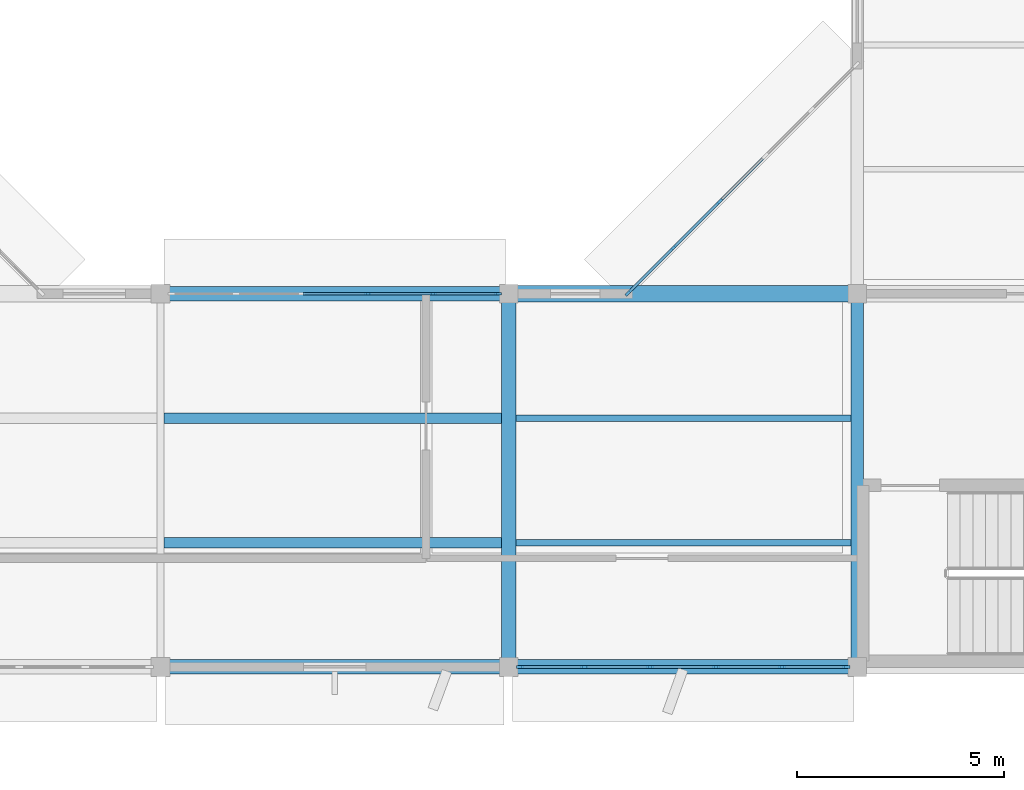
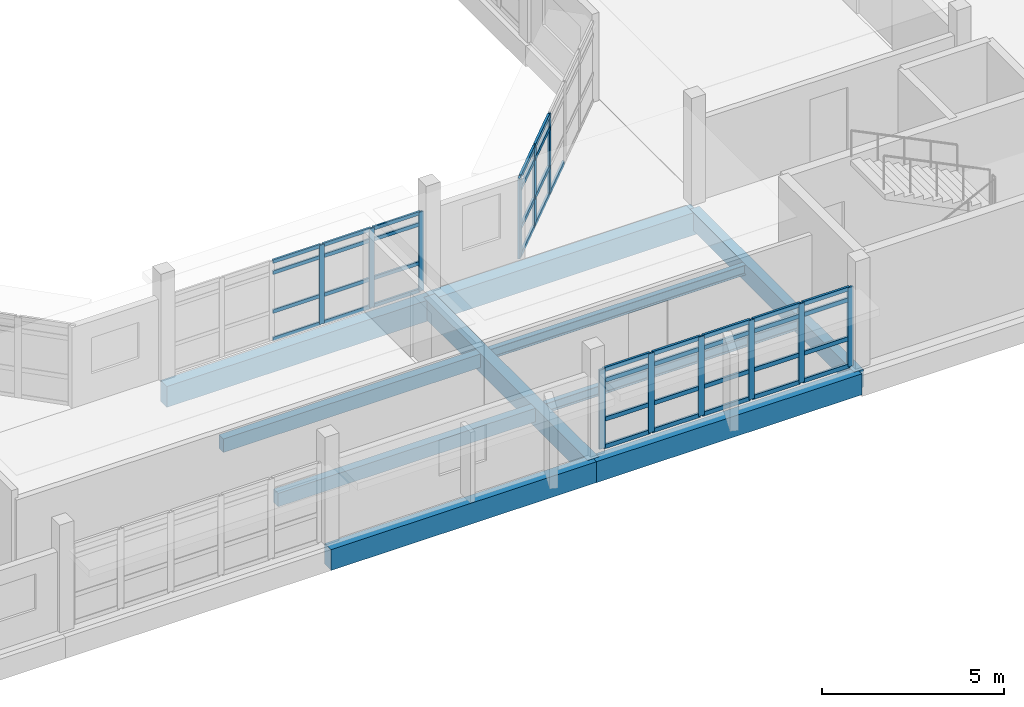
# One storey, part 4 of 42: 53 members, 10 beams, 3 elements without a shape of their own.
"""IFC4 building model written with IfcOpenShell, lengths in metres."""

import ifcopenshell
import ifcopenshell.guid

model = None  # the IFC model being written
_history = None  # IfcOwnerHistory: only IFC2X3 demands one
_inside = {}  # id of a spatial element -> (the spatial element, [elements in it])
_under = {}  # id of a project, library or spatial element -> (it, [spatial elements below it])
_declared = {}  # id of a project -> (the project, [libraries it declares])
_typed = {}  # id of a type object -> (the type object, [elements of that type])
_made_of = {}  # id of a material, layer set ... -> (it, [elements and type objects made of it])


def new_model(schema):
    """Start an empty IFC model of exactly this schema.

    Asked for "IFC4X3", IfcOpenShell would pick the latest addendum, in which some entities
    have other attributes; the version numbers below select the first issue.
    IFC2X3 requires an IfcOwnerHistory on every rooted entity: one is made here for all.
    """
    global model, _history
    if schema == "IFC4X3":
        model = ifcopenshell.file(schema_version=(4, 3, 0, 0))
    else:
        model = ifcopenshell.file(schema=schema)
    _inside.clear()
    _under.clear()
    _declared.clear()
    _typed.clear()
    _made_of.clear()
    _history = None
    if model.schema == "IFC2X3":
        org = make("IfcOrganization", Name="unknown")
        user = make(
            "IfcPersonAndOrganization",
            ThePerson=make("IfcPerson", FamilyName="unknown"),
            TheOrganization=org,
        )
        app = make(
            "IfcApplication",
            ApplicationDeveloper=org,
            Version="unknown",
            ApplicationFullName="unknown",
            ApplicationIdentifier="unknown",
        )
        _history = make(
            "IfcOwnerHistory",
            OwningUser=user,
            OwningApplication=app,
            ChangeAction="ADDED",
            CreationDate=0,
        )
    return model


def make(cls, **values):
    """One entity of the class cls with the attributes given. An attribute that is None is left unset."""
    return model.create_entity(
        cls, **{name: value for name, value in values.items() if value is not None}
    )


def rooted(cls, **values):
    """An entity with a GlobalId (a new one), such as an element, a storey or a relation."""
    return make(cls, GlobalId=ifcopenshell.guid.new(), OwnerHistory=_history, **values)


def si_unit(unit_type, name, prefix=None):
    """IfcSIUnit, for example si_unit("LENGTHUNIT", "METRE", prefix="MILLI")."""
    return make("IfcSIUnit", UnitType=unit_type, Prefix=prefix, Name=name)


def assignment(units):
    """IfcUnitAssignment: the units of a project."""
    return None if units is None else make("IfcUnitAssignment", Units=units)


def point(xyz):
    """IfcCartesianPoint."""
    return None if xyz is None else make("IfcCartesianPoint", Coordinates=xyz)


def direction(xyz):
    """IfcDirection."""
    return None if xyz is None else make("IfcDirection", DirectionRatios=xyz)


def frame(location, z_axis=None, x_axis=None):
    """IfcAxis2Placement3D, a coordinate frame: its origin and axes. An axis left out is left unset."""
    return make(
        "IfcAxis2Placement3D",
        Location=point(location),
        Axis=direction(z_axis),
        RefDirection=direction(x_axis),
    )


def frame_2d(location, x_axis=None):
    """IfcAxis2Placement2D, a coordinate frame in the plane: its origin and x axis."""
    return make(
        "IfcAxis2Placement2D", Location=point(location), RefDirection=direction(x_axis)
    )


def origin():
    """The frame at (0, 0, 0) with its axes left unset."""
    return frame((0.0, 0.0, 0.0))


def origin_2d():
    """The frame at (0, 0) in the plane with its x axis left unset."""
    return frame_2d((0.0, 0.0))


def place(relative_to, where):
    """IfcLocalPlacement: puts the frame where relative to a parent placement (None: the world)."""
    return make(
        "IfcLocalPlacement", PlacementRelTo=relative_to, RelativePlacement=where
    )


def context(
    kind, dimensions, precision=None, world=None, true_north=None, identifier=None
):
    """IfcGeometricRepresentationContext, for example the 3D "Model" context."""
    return make(
        "IfcGeometricRepresentationContext",
        ContextIdentifier=identifier,
        ContextType=kind,
        CoordinateSpaceDimension=dimensions,
        Precision=precision,
        WorldCoordinateSystem=world,
        TrueNorth=true_north,
    )


def subcontext(parent, identifier, kind, view, scale=None):
    """IfcGeometricRepresentationSubContext, for example "Body" below "Model"."""
    return make(
        "IfcGeometricRepresentationSubContext",
        ContextIdentifier=identifier,
        ContextType=kind,
        ParentContext=parent,
        TargetScale=scale,
        TargetView=view,
    )


def project(units=None, contexts=None):
    """IfcProject with its units and contexts."""
    return rooted(
        "IfcProject",
        Name="project",
        RepresentationContexts=contexts,
        UnitsInContext=assignment(units),
    )


def spatial(cls, under=None, at=None, **own):
    """A site, building, storey or space (cls), placed at a placement, below another one or the project."""
    s = rooted(cls, ObjectPlacement=at, **own)
    if under is not None:
        _under.setdefault(under.id(), (under, []))[1].append(s)
    return s


def profile(cls, at=None, kind="AREA", **sizes):
    """A parametric profile (cls). Its sizes go by their IFC names, for example OverallWidth=200.0."""
    return make(cls, ProfileType=kind, Position=at, **sizes)


def rectangle(**sizes):
    """IfcRectangleProfileDef."""
    return profile("IfcRectangleProfileDef", **sizes)


def i_section(**sizes):
    """IfcIShapeProfileDef."""
    return profile("IfcIShapeProfileDef", **sizes)


def extrude(swept, where, along, depth):
    """IfcExtrudedAreaSolid: the profile swept, set in the frame where, extruded along a direction by depth."""
    return make(
        "IfcExtrudedAreaSolid",
        SweptArea=swept,
        Position=where,
        ExtrudedDirection=direction(along),
        Depth=depth,
    )


def shape(context_of_items, identifier, shape_type, items):
    """IfcShapeRepresentation: the items that make up one representation, for example the "Body"."""
    return make(
        "IfcShapeRepresentation",
        ContextOfItems=context_of_items,
        RepresentationIdentifier=identifier,
        RepresentationType=shape_type,
        Items=items,
    )


def material(Name=None, Category=None):
    """IfcMaterial."""
    return make("IfcMaterial", Name=Name, Category=Category)


def material_profile(
    of_material, cross_section, Name=None, Category=None, Priority=None
):
    """IfcMaterialProfile: a cross section and its material."""
    return make(
        "IfcMaterialProfile",
        Name=Name,
        Material=of_material,
        Profile=cross_section,
        Priority=Priority,
        Category=Category,
    )


def profile_set(profiles, Name=None, composite=None):
    """IfcMaterialProfileSet."""
    return make(
        "IfcMaterialProfileSet",
        Name=Name,
        MaterialProfiles=profiles,
        CompositeProfile=composite,
    )


def made_of(thing, what):
    """Note that an element or type object is made of a material, layer set ...; save() writes the relation."""
    if what is not None:
        _made_of.setdefault(what.id(), (what, []))[1].append(thing)
    return thing


def type_object(cls, material=None, **own):
    """A type object (cls), such as IfcWallType, which elements share."""
    return made_of(rooted(cls, **own), material)


def element(
    cls,
    number,
    at=None,
    inside=None,
    cuts=None,
    type_object=None,
    material=None,
    context=None,
    identifier="Body",
    shape_type=None,
    held_by="IfcProductDefinitionShape",
    body=None,
    shapes=None,
    **own,
):
    """One element of the class cls, such as IfcWall. Its Tag is "e" and its number.

    at: its placement. inside: the storey or other place that contains it. cuts: it is an
    opening in that element (IfcRelVoidsElement). A single representation is given by context,
    identifier, shape_type and body (its items); several are given by shapes. held_by: the class
    of the entity that holds the representations. save() writes the other relations.
    """
    e = rooted(cls, Tag="e%d" % number, ObjectPlacement=at, **own)
    if body is not None:
        shapes = [shape(context, identifier, shape_type, body)]
    if shapes is not None:
        e.Representation = make(held_by, Representations=shapes)
    if inside is not None:
        _inside.setdefault(inside.id(), (inside, []))[1].append(e)
    if cuts is not None:
        rooted(
            "IfcRelVoidsElement", RelatingBuildingElement=cuts, RelatedOpeningElement=e
        )
    if type_object is not None:
        _typed.setdefault(type_object.id(), (type_object, []))[1].append(e)
    return made_of(e, material)


def aggregate(whole, parts):
    """IfcRelAggregates: a whole, such as a stair, and the parts it consists of."""
    return rooted("IfcRelAggregates", RelatingObject=whole, RelatedObjects=parts)


def save(model, path):
    """Write the relations noted so far, then the file.

    IfcRelAggregates (storeys below a building ...), IfcRelContainedInSpatialStructure (elements
    in a storey), IfcRelDefinesByType, IfcRelAssociatesMaterial and IfcRelDeclares: one each for
    every whole, place, type object, material and project.
    """
    for whole, parts in _under.values():
        aggregate(whole, parts)
    for where, things in _inside.values():
        rooted(
            "IfcRelContainedInSpatialStructure",
            RelatedElements=things,
            RelatingStructure=where,
        )
    for kind, things in _typed.values():
        rooted("IfcRelDefinesByType", RelatedObjects=things, RelatingType=kind)
    for what, things in _made_of.values():
        rooted("IfcRelAssociatesMaterial", RelatedObjects=things, RelatingMaterial=what)
    for by, libraries in _declared.values():
        rooted("IfcRelDeclares", RelatingContext=by, RelatedDefinitions=libraries)
    model.write(path)


model = new_model("IFC4")

# Units and contexts
model_context = context("Model", 3, precision=1e-05, world=origin(), true_north=direction((0.0, 1.0)))
body_context = subcontext(model_context, "Body", "Model", "MODEL_VIEW")
ifc_project = project(units=[si_unit("LENGTHUNIT", "METRE"), si_unit("AREAUNIT", "SQUARE_METRE"), si_unit("VOLUMEUNIT", "CUBIC_METRE"), si_unit("PLANEANGLEUNIT", "RADIAN"), si_unit("MASSUNIT", "GRAM", prefix="KILO")], contexts=[model_context])

# Site, building, storey
site_placement = place(None, origin())
site = spatial("IfcSite", under=ifc_project, at=site_placement, CompositionType="ELEMENT")
building_placement = place(site_placement, origin())
building = spatial("IfcBuilding", under=site, at=building_placement, Name="Vanh Quang Courtyard School", CompositionType="ELEMENT")
storey_placement = place(building_placement, frame((0.0, 0.0, 15.0)))
storey = spatial("IfcBuildingStorey", under=building, at=storey_placement, Name="L04", CompositionType="ELEMENT", Elevation=15.0)

# Beams
ifc_material_1 = material(Name="Concrete C35/45", Category="concrete")
ifc_material_profile_1 = material_profile(ifc_material_1, rectangle(XDim=0.300048828125, YDim=0.60009765625, at=origin_2d()), Name="RC-BM 300x600")
ifc_profile_set_1 = profile_set([ifc_material_profile_1], Name="Concrete C35/45")
beam_type_1 = type_object("IfcBeamType", Name="BM-RC-300x600", PredefinedType="BEAM", material=ifc_profile_set_1)
beam_1_placement = place(storey_placement, frame((66.0, 32.39990234375, -0.56005859375), z_axis=(0.0, 1.0, 0.0), x_axis=(-1.0, 0.0, 0.0)))
element("IfcBeam", 1, at=beam_1_placement, inside=storey, type_object=beam_type_1, Name="Beam B-06 (L04)", PredefinedType="BEAM", context=body_context, shape_type="SweptSolid", body=[
    extrude(rectangle(XDim=0.300048828125, YDim=0.60009765625, at=origin_2d()), origin(), (0.0, 0.0, 1.0), 9.0),
])
ifc_material_profile_2 = material_profile(ifc_material_1, rectangle(XDim=0.35009765625, YDim=0.64990234375, at=origin_2d()), Name="RC-BM 350x650")
ifc_profile_set_2 = profile_set([ifc_material_profile_2], Name="Concrete C35/45")
beam_type_2 = type_object("IfcBeamType", Name="BM-RC-350x650", PredefinedType="BEAM", material=ifc_profile_set_2)
beam_2_placement = place(storey_placement, frame((57.60009765625, 32.39990234375, -0.5849609375), z_axis=(0.0, 1.0, 0.0), x_axis=(-1.0, 0.0, 0.0)))
element("IfcBeam", 2, at=beam_2_placement, inside=storey, type_object=beam_type_2, Name="Beam B-05 (L04)", PredefinedType="BEAM", context=body_context, shape_type="SweptSolid", body=[
    extrude(rectangle(XDim=0.35009765625, YDim=0.64990234375, at=origin_2d()), origin(), (0.0, 0.0, 1.0), 9.0),
])
ifc_material_profile_3 = material_profile(ifc_material_1, rectangle(XDim=0.35009765625, YDim=0.699951171875, at=origin_2d()), Name="RC-BM 350x700")
ifc_profile_set_3 = profile_set([ifc_material_profile_3], Name="Concrete C35/45")
beam_type_3 = type_object("IfcBeamType", Name="BM-RC-350x700", PredefinedType="BEAM", material=ifc_profile_set_3)
beam_3_placement = place(storey_placement, frame((49.199951171875, 32.39990234375, -0.610107421875), z_axis=(1.0, 0.0, 0.0), x_axis=(0.0, 1.0, 0.0)))
element("IfcBeam", 3, at=beam_3_placement, inside=storey, type_object=beam_type_3, Name="Beam B-04 (L04)", PredefinedType="BEAM", context=body_context, shape_type="SweptSolid", body=[
    extrude(rectangle(XDim=0.35009765625, YDim=0.699951171875, at=origin_2d()), origin(), (0.0, 0.0, 1.0), 8.400146484375),
])
beam_4_placement = place(storey_placement, frame((57.60009765625, 32.39990234375, -0.610107421875), z_axis=(1.0, 0.0, 0.0), x_axis=(0.0, 1.0, 0.0)))
element("IfcBeam", 4, at=beam_4_placement, inside=storey, type_object=beam_type_3, Name="Beam B-04 (L04)", PredefinedType="BEAM", context=body_context, shape_type="SweptSolid", body=[
    extrude(rectangle(XDim=0.35009765625, YDim=0.699951171875, at=origin_2d()), origin(), (0.0, 0.0, 1.0), 8.39990234375),
])
beam_5_placement = place(storey_placement, frame((49.199951171875, 41.39990234375, -0.610107421875), z_axis=(1.0, 0.0, 0.0), x_axis=(0.0, 1.0, 0.0)))
element("IfcBeam", 5, at=beam_5_placement, inside=storey, type_object=beam_type_3, Name="Beam B-04 (L04)", PredefinedType="BEAM", context=body_context, shape_type="SweptSolid", body=[
    extrude(rectangle(XDim=0.35009765625, YDim=0.699951171875, at=origin_2d()), origin(), (0.0, 0.0, 1.0), 8.400146484375),
])
ifc_material_profile_4 = material_profile(ifc_material_1, rectangle(XDim=0.39990234375, YDim=0.75, at=origin_2d()), Name="RC-BM 400x750")
ifc_profile_set_4 = profile_set([ifc_material_profile_4], Name="Concrete C35/45")
beam_type_4 = type_object("IfcBeamType", Name="BM-RC-400x750", PredefinedType="BEAM", material=ifc_profile_set_4)
beam_6_placement = place(storey_placement, frame((57.60009765625, 41.39990234375, -0.635009765625), z_axis=(1.0, 0.0, 0.0), x_axis=(0.0, 1.0, 0.0)))
element("IfcBeam", 6, at=beam_6_placement, inside=storey, type_object=beam_type_4, Name="Beam B-03 (L04)", PredefinedType="BEAM", context=body_context, shape_type="SweptSolid", body=[
    extrude(rectangle(XDim=0.39990234375, YDim=0.75, at=origin_2d()), origin(), (0.0, 0.0, 1.0), 8.39990234375),
])

# Curtain wall, members
ifc_material_2 = material(Name="Thermally broken aluminium unitised curtain wall", Category="aluminium")
curtain_wall_type_1 = type_object("IfcCurtainWallType", Name="CW-SYS-19", PredefinedType="NOTDEFINED", material=ifc_material_2)
curtain_wall_1_placement = place(storey_placement, origin())
curtain_wall_1 = element("IfcCurtainWall", 7, at=curtain_wall_1_placement, inside=storey, type_object=curtain_wall_type_1, Name="Curtain Wall CW-19 (L04)", PredefinedType="NOTDEFINED")
ifc_material_3 = material(Name="Anodised aluminium 6063-T6", Category="aluminium")
ifc_material_profile_5 = material_profile(ifc_material_3, rectangle(XDim=0.06005859375, YDim=0.159912109375, at=origin_2d()), Name="ALU-MUL 60x160")
ifc_profile_set_5 = profile_set([ifc_material_profile_5], Name="Anodised aluminium 6063-T6")
member_type_1 = type_object("IfcMemberType", Name="CW-MUL-60x160", PredefinedType="MULLION", material=ifc_profile_set_5)
member_1_placement = place(storey_placement, frame((54.193359375, 41.39990234375, 0.0), z_axis=(0.0, 0.0, 1.0), x_axis=(0.0, 1.0, 0.0)))
member_1 = element("IfcMember", 8, at=member_1_placement, type_object=member_type_1, Name="CW-19 mullion 4", PredefinedType="MULLION", context=body_context, shape_type="SweptSolid", body=[
    extrude(rectangle(XDim=0.06005859375, YDim=0.159912109375, at=origin_2d()), origin(), (0.0, 0.0, 1.0), 2.64990234375),
])
member_2_placement = place(storey_placement, frame((55.7802734375, 41.39990234375, 0.0), z_axis=(0.0, 0.0, 1.0), x_axis=(0.0, 1.0, 0.0)))
member_2 = element("IfcMember", 9, at=member_2_placement, type_object=member_type_1, Name="CW-19 mullion 5", PredefinedType="MULLION", context=body_context, shape_type="SweptSolid", body=[
    extrude(rectangle(XDim=0.06005859375, YDim=0.159912109375, at=origin_2d()), origin(), (0.0, 0.0, 1.0), 2.64990234375),
])
member_3_placement = place(storey_placement, frame((57.3369140625, 41.39990234375, 0.0), z_axis=(0.0, 0.0, 1.0), x_axis=(0.0, 1.0, 0.0)))
member_3 = element("IfcMember", 10, at=member_3_placement, type_object=member_type_1, Name="CW-19 mullion 6", PredefinedType="MULLION", context=body_context, shape_type="SweptSolid", body=[
    extrude(rectangle(XDim=0.06005859375, YDim=0.159912109375, at=origin_2d()), origin(), (0.0, 0.0, 1.0), 2.64990234375),
])

curtain_wall_2_placement = place(storey_placement, origin())
curtain_wall_2 = element("IfcCurtainWall", 11, at=curtain_wall_2_placement, inside=storey, type_object=curtain_wall_type_1, Name="Curtain Wall CW-19 (L04)", PredefinedType="NOTDEFINED")
ifc_material_profile_6 = material_profile(ifc_material_3, rectangle(XDim=0.070068359375, YDim=0.179931640625, at=origin_2d()), Name="ALU-MUL 70x180")
ifc_profile_set_6 = profile_set([ifc_material_profile_6], Name="Anodised aluminium 6063-T6")
member_type_2 = type_object("IfcMemberType", Name="CW-MUL-70x180", PredefinedType="MULLION", material=ifc_profile_set_6)
member_4_placement = place(storey_placement, frame((65.73193359375, 32.39990234375, 0.0), z_axis=(0.0, 0.0, 1.0), x_axis=(0.0, -1.0, 0.0)))
member_4 = element("IfcMember", 12, at=member_4_placement, type_object=member_type_2, Name="CW-19 mullion 1", PredefinedType="MULLION", context=body_context, shape_type="SweptSolid", body=[
    extrude(rectangle(XDim=0.070068359375, YDim=0.179931640625, at=origin_2d()), origin(), (0.0, 0.0, 1.0), 2.64990234375),
])
member_5_placement = place(storey_placement, frame((64.18017578125, 32.39990234375, 0.0), z_axis=(0.0, 0.0, 1.0), x_axis=(0.0, -1.0, 0.0)))
member_5 = element("IfcMember", 13, at=member_5_placement, type_object=member_type_2, Name="CW-19 mullion 2", PredefinedType="MULLION", context=body_context, shape_type="SweptSolid", body=[
    extrude(rectangle(XDim=0.070068359375, YDim=0.179931640625, at=origin_2d()), origin(), (0.0, 0.0, 1.0), 2.64990234375),
])
member_6_placement = place(storey_placement, frame((62.593505859375, 32.39990234375, 0.0), z_axis=(0.0, 0.0, 1.0), x_axis=(0.0, -1.0, 0.0)))
member_6 = element("IfcMember", 14, at=member_6_placement, type_object=member_type_2, Name="CW-19 mullion 3", PredefinedType="MULLION", context=body_context, shape_type="SweptSolid", body=[
    extrude(rectangle(XDim=0.070068359375, YDim=0.179931640625, at=origin_2d()), origin(), (0.0, 0.0, 1.0), 2.64990234375),
])
member_7_placement = place(storey_placement, frame((61.006591796875, 32.39990234375, 0.0), z_axis=(0.0, 0.0, 1.0), x_axis=(0.0, -1.0, 0.0)))
member_7 = element("IfcMember", 15, at=member_7_placement, type_object=member_type_2, Name="CW-19 mullion 4", PredefinedType="MULLION", context=body_context, shape_type="SweptSolid", body=[
    extrude(rectangle(XDim=0.070068359375, YDim=0.179931640625, at=origin_2d()), origin(), (0.0, 0.0, 1.0), 2.64990234375),
])
member_8_placement = place(storey_placement, frame((59.419921875, 32.39990234375, 0.0), z_axis=(0.0, 0.0, 1.0), x_axis=(0.0, -1.0, 0.0)))
member_8 = element("IfcMember", 16, at=member_8_placement, type_object=member_type_2, Name="CW-19 mullion 5", PredefinedType="MULLION", context=body_context, shape_type="SweptSolid", body=[
    extrude(rectangle(XDim=0.070068359375, YDim=0.179931640625, at=origin_2d()), origin(), (0.0, 0.0, 1.0), 2.64990234375),
])
member_9_placement = place(storey_placement, frame((57.867919921875, 32.39990234375, 0.0), z_axis=(0.0, 0.0, 1.0), x_axis=(0.0, -1.0, 0.0)))
member_9 = element("IfcMember", 17, at=member_9_placement, type_object=member_type_2, Name="CW-19 mullion 6", PredefinedType="MULLION", context=body_context, shape_type="SweptSolid", body=[
    extrude(rectangle(XDim=0.070068359375, YDim=0.179931640625, at=origin_2d()), origin(), (0.0, 0.0, 1.0), 2.64990234375),
])

curtain_wall_type_2 = type_object("IfcCurtainWallType", Name="CW-SYS-51", PredefinedType="NOTDEFINED", material=ifc_material_2)
curtain_wall_3_placement = place(storey_placement, origin())
curtain_wall_3 = element("IfcCurtainWall", 18, at=curtain_wall_3_placement, inside=storey, type_object=curtain_wall_type_2, Name="Curtain Wall CW-51 (L04)", PredefinedType="NOTDEFINED")
member_10_placement = place(storey_placement, frame((60.480712890625, 41.4248046875, 0.0), z_axis=(0.0, 0.0, 1.0), x_axis=(-0.707106781187, 0.707106781187, 0.0)))
member_10 = element("IfcMember", 19, at=member_10_placement, type_object=member_type_2, Name="CW-51 mullion 1", PredefinedType="MULLION", context=body_context, shape_type="SweptSolid", body=[
    extrude(rectangle(XDim=0.070068359375, YDim=0.179931640625, at=origin_2d()), origin(), (0.0, 0.0, 1.0), 2.699951171875),
])
member_11_placement = place(storey_placement, frame((61.564697265625, 42.5087890625, 0.0), z_axis=(0.0, 0.0, 1.0), x_axis=(-0.707106781187, 0.707106781187, 0.0)))
member_11 = element("IfcMember", 20, at=member_11_placement, type_object=member_type_2, Name="CW-51 mullion 2", PredefinedType="MULLION", context=body_context, shape_type="SweptSolid", body=[
    extrude(rectangle(XDim=0.070068359375, YDim=0.179931640625, at=origin_2d()), origin(), (0.0, 0.0, 1.0), 2.699951171875),
])
member_12_placement = place(storey_placement, frame((62.673583984375, 43.61767578125, 0.0), z_axis=(0.0, 0.0, 1.0), x_axis=(-0.707106781187, 0.707106781187, 0.0)))
member_12 = element("IfcMember", 21, at=member_12_placement, type_object=member_type_2, Name="CW-51 mullion 3", PredefinedType="MULLION", context=body_context, shape_type="SweptSolid", body=[
    extrude(rectangle(XDim=0.070068359375, YDim=0.179931640625, at=origin_2d()), origin(), (0.0, 0.0, 1.0), 2.699951171875),
])

# Member
ifc_material_profile_7 = material_profile(ifc_material_3, rectangle(XDim=0.06005859375, YDim=0.1201171875, at=origin_2d()), Name="ALU-TRN 60x120")
ifc_profile_set_7 = profile_set([ifc_material_profile_7], Name="Anodised aluminium 6063-T6")
member_type_3 = type_object("IfcMemberType", Name="CW-TRN-60x120", PredefinedType="USERDEFINED", material=ifc_profile_set_7)
member_13_placement = place(storey_placement, frame((52.63671875, 41.39990234375, 0.030029296875), z_axis=(1.0, 0.0, 0.0), x_axis=(0.0, 1.0, 0.0)))
member_13 = element("IfcMember", 22, at=member_13_placement, type_object=member_type_3, Name="CW-19 transom 3.1", ObjectType="TRANSOM", PredefinedType="USERDEFINED", context=body_context, shape_type="SweptSolid", body=[
    extrude(rectangle(XDim=0.06005859375, YDim=0.1201171875, at=origin_2d()), origin(), (0.0, 0.0, 1.0), 1.526611328125),
])

member_14_placement = place(storey_placement, frame((52.63671875, 41.39990234375, 0.949951171875), z_axis=(1.0, 0.0, 0.0), x_axis=(0.0, 1.0, 0.0)))
member_14 = element("IfcMember", 23, at=member_14_placement, type_object=member_type_3, Name="CW-19 transom 3.2", ObjectType="TRANSOM", PredefinedType="USERDEFINED", context=body_context, shape_type="SweptSolid", body=[
    extrude(rectangle(XDim=0.06005859375, YDim=0.1201171875, at=origin_2d()), origin(), (0.0, 0.0, 1.0), 1.526611328125),
])

member_15_placement = place(storey_placement, frame((52.63671875, 41.39990234375, 2.25), z_axis=(1.0, 0.0, 0.0), x_axis=(0.0, 1.0, 0.0)))
member_15 = element("IfcMember", 24, at=member_15_placement, type_object=member_type_3, Name="CW-19 transom 3.3", ObjectType="TRANSOM", PredefinedType="USERDEFINED", context=body_context, shape_type="SweptSolid", body=[
    extrude(rectangle(XDim=0.06005859375, YDim=0.1201171875, at=origin_2d()), origin(), (0.0, 0.0, 1.0), 1.526611328125),
])

member_16_placement = place(storey_placement, frame((52.63671875, 41.39990234375, 2.6201171875), z_axis=(1.0, 0.0, 0.0), x_axis=(0.0, 1.0, 0.0)))
member_16 = element("IfcMember", 25, at=member_16_placement, type_object=member_type_3, Name="CW-19 transom 3.4", ObjectType="TRANSOM", PredefinedType="USERDEFINED", context=body_context, shape_type="SweptSolid", body=[
    extrude(rectangle(XDim=0.06005859375, YDim=0.1201171875, at=origin_2d()), origin(), (0.0, 0.0, 1.0), 1.526611328125),
])

member_17_placement = place(storey_placement, frame((54.223388671875, 41.39990234375, 0.030029296875), z_axis=(1.0, 0.0, 0.0), x_axis=(0.0, 1.0, 0.0)))
member_17 = element("IfcMember", 26, at=member_17_placement, type_object=member_type_3, Name="CW-19 transom 4.1", ObjectType="TRANSOM", PredefinedType="USERDEFINED", context=body_context, shape_type="SweptSolid", body=[
    extrude(rectangle(XDim=0.06005859375, YDim=0.1201171875, at=origin_2d()), origin(), (0.0, 0.0, 1.0), 1.52685546875),
])

member_18_placement = place(storey_placement, frame((54.223388671875, 41.39990234375, 0.949951171875), z_axis=(1.0, 0.0, 0.0), x_axis=(0.0, 1.0, 0.0)))
member_18 = element("IfcMember", 27, at=member_18_placement, type_object=member_type_3, Name="CW-19 transom 4.2", ObjectType="TRANSOM", PredefinedType="USERDEFINED", context=body_context, shape_type="SweptSolid", body=[
    extrude(rectangle(XDim=0.06005859375, YDim=0.1201171875, at=origin_2d()), origin(), (0.0, 0.0, 1.0), 1.52685546875),
])

member_19_placement = place(storey_placement, frame((54.223388671875, 41.39990234375, 2.25), z_axis=(1.0, 0.0, 0.0), x_axis=(0.0, 1.0, 0.0)))
member_19 = element("IfcMember", 28, at=member_19_placement, type_object=member_type_3, Name="CW-19 transom 4.3", ObjectType="TRANSOM", PredefinedType="USERDEFINED", context=body_context, shape_type="SweptSolid", body=[
    extrude(rectangle(XDim=0.06005859375, YDim=0.1201171875, at=origin_2d()), origin(), (0.0, 0.0, 1.0), 1.52685546875),
])

member_20_placement = place(storey_placement, frame((54.223388671875, 41.39990234375, 2.6201171875), z_axis=(1.0, 0.0, 0.0), x_axis=(0.0, 1.0, 0.0)))
member_20 = element("IfcMember", 29, at=member_20_placement, type_object=member_type_3, Name="CW-19 transom 4.4", ObjectType="TRANSOM", PredefinedType="USERDEFINED", context=body_context, shape_type="SweptSolid", body=[
    extrude(rectangle(XDim=0.06005859375, YDim=0.1201171875, at=origin_2d()), origin(), (0.0, 0.0, 1.0), 1.52685546875),
])

member_21_placement = place(storey_placement, frame((55.810302734375, 41.39990234375, 0.030029296875), z_axis=(1.0, 0.0, 0.0), x_axis=(0.0, 1.0, 0.0)))
member_21 = element("IfcMember", 30, at=member_21_placement, type_object=member_type_3, Name="CW-19 transom 5.1", ObjectType="TRANSOM", PredefinedType="USERDEFINED", context=body_context, shape_type="SweptSolid", body=[
    extrude(rectangle(XDim=0.06005859375, YDim=0.1201171875, at=origin_2d()), origin(), (0.0, 0.0, 1.0), 1.49658203125),
])

member_22_placement = place(storey_placement, frame((55.810302734375, 41.39990234375, 0.949951171875), z_axis=(1.0, 0.0, 0.0), x_axis=(0.0, 1.0, 0.0)))
member_22 = element("IfcMember", 31, at=member_22_placement, type_object=member_type_3, Name="CW-19 transom 5.2", ObjectType="TRANSOM", PredefinedType="USERDEFINED", context=body_context, shape_type="SweptSolid", body=[
    extrude(rectangle(XDim=0.06005859375, YDim=0.1201171875, at=origin_2d()), origin(), (0.0, 0.0, 1.0), 1.49658203125),
])

member_23_placement = place(storey_placement, frame((55.810302734375, 41.39990234375, 2.25), z_axis=(1.0, 0.0, 0.0), x_axis=(0.0, 1.0, 0.0)))
member_23 = element("IfcMember", 32, at=member_23_placement, type_object=member_type_3, Name="CW-19 transom 5.3", ObjectType="TRANSOM", PredefinedType="USERDEFINED", context=body_context, shape_type="SweptSolid", body=[
    extrude(rectangle(XDim=0.06005859375, YDim=0.1201171875, at=origin_2d()), origin(), (0.0, 0.0, 1.0), 1.49658203125),
])

member_24_placement = place(storey_placement, frame((55.810302734375, 41.39990234375, 2.6201171875), z_axis=(1.0, 0.0, 0.0), x_axis=(0.0, 1.0, 0.0)))
member_24 = element("IfcMember", 33, at=member_24_placement, type_object=member_type_3, Name="CW-19 transom 5.4", ObjectType="TRANSOM", PredefinedType="USERDEFINED", context=body_context, shape_type="SweptSolid", body=[
    extrude(rectangle(XDim=0.06005859375, YDim=0.1201171875, at=origin_2d()), origin(), (0.0, 0.0, 1.0), 1.49658203125),
])

aggregate(curtain_wall_1, [member_1, member_2, member_3, member_13, member_14, member_15, member_16, member_17, member_18, member_19, member_20, member_21, member_22, member_23, member_24])

ifc_material_profile_8 = material_profile(ifc_material_3, rectangle(XDim=0.070068359375, YDim=0.139892578125, at=origin_2d()), Name="ALU-TRN 70x140")
ifc_profile_set_8 = profile_set([ifc_material_profile_8], Name="Anodised aluminium 6063-T6")
member_type_4 = type_object("IfcMemberType", Name="CW-TRN-70x140", PredefinedType="USERDEFINED", material=ifc_profile_set_8)
member_25_placement = place(storey_placement, frame((65.697021484375, 32.39990234375, 0.034912109375), z_axis=(-1.0, 0.0, 0.0), x_axis=(0.0, -1.0, 0.0)))
member_25 = element("IfcMember", 34, at=member_25_placement, type_object=member_type_4, Name="CW-19 transom 1.1", ObjectType="TRANSOM", PredefinedType="USERDEFINED", context=body_context, shape_type="SweptSolid", body=[
    extrude(rectangle(XDim=0.070068359375, YDim=0.139892578125, at=origin_2d()), origin(), (0.0, 0.0, 1.0), 1.48193359375),
])

member_26_placement = place(storey_placement, frame((65.697021484375, 32.39990234375, 0.949951171875), z_axis=(-1.0, 0.0, 0.0), x_axis=(0.0, -1.0, 0.0)))
member_26 = element("IfcMember", 35, at=member_26_placement, type_object=member_type_4, Name="CW-19 transom 1.2", ObjectType="TRANSOM", PredefinedType="USERDEFINED", context=body_context, shape_type="SweptSolid", body=[
    extrude(rectangle(XDim=0.070068359375, YDim=0.139892578125, at=origin_2d()), origin(), (0.0, 0.0, 1.0), 1.48193359375),
])

member_27_placement = place(storey_placement, frame((65.697021484375, 32.39990234375, 2.25), z_axis=(-1.0, 0.0, 0.0), x_axis=(0.0, -1.0, 0.0)))
member_27 = element("IfcMember", 36, at=member_27_placement, type_object=member_type_4, Name="CW-19 transom 1.3", ObjectType="TRANSOM", PredefinedType="USERDEFINED", context=body_context, shape_type="SweptSolid", body=[
    extrude(rectangle(XDim=0.070068359375, YDim=0.139892578125, at=origin_2d()), origin(), (0.0, 0.0, 1.0), 1.48193359375),
])

member_28_placement = place(storey_placement, frame((65.697021484375, 32.39990234375, 2.614990234375), z_axis=(-1.0, 0.0, 0.0), x_axis=(0.0, -1.0, 0.0)))
member_28 = element("IfcMember", 37, at=member_28_placement, type_object=member_type_4, Name="CW-19 transom 1.4", ObjectType="TRANSOM", PredefinedType="USERDEFINED", context=body_context, shape_type="SweptSolid", body=[
    extrude(rectangle(XDim=0.070068359375, YDim=0.139892578125, at=origin_2d()), origin(), (0.0, 0.0, 1.0), 1.48193359375),
])

member_29_placement = place(storey_placement, frame((64.145263671875, 32.39990234375, 0.034912109375), z_axis=(-1.0, 0.0, 0.0), x_axis=(0.0, -1.0, 0.0)))
member_29 = element("IfcMember", 38, at=member_29_placement, type_object=member_type_4, Name="CW-19 transom 2.1", ObjectType="TRANSOM", PredefinedType="USERDEFINED", context=body_context, shape_type="SweptSolid", body=[
    extrude(rectangle(XDim=0.070068359375, YDim=0.139892578125, at=origin_2d()), origin(), (0.0, 0.0, 1.0), 1.516845703125),
])

member_30_placement = place(storey_placement, frame((64.145263671875, 32.39990234375, 0.949951171875), z_axis=(-1.0, 0.0, 0.0), x_axis=(0.0, -1.0, 0.0)))
member_30 = element("IfcMember", 39, at=member_30_placement, type_object=member_type_4, Name="CW-19 transom 2.2", ObjectType="TRANSOM", PredefinedType="USERDEFINED", context=body_context, shape_type="SweptSolid", body=[
    extrude(rectangle(XDim=0.070068359375, YDim=0.139892578125, at=origin_2d()), origin(), (0.0, 0.0, 1.0), 1.516845703125),
])

member_31_placement = place(storey_placement, frame((64.145263671875, 32.39990234375, 2.25), z_axis=(-1.0, 0.0, 0.0), x_axis=(0.0, -1.0, 0.0)))
member_31 = element("IfcMember", 40, at=member_31_placement, type_object=member_type_4, Name="CW-19 transom 2.3", ObjectType="TRANSOM", PredefinedType="USERDEFINED", context=body_context, shape_type="SweptSolid", body=[
    extrude(rectangle(XDim=0.070068359375, YDim=0.139892578125, at=origin_2d()), origin(), (0.0, 0.0, 1.0), 1.516845703125),
])

member_32_placement = place(storey_placement, frame((64.145263671875, 32.39990234375, 2.614990234375), z_axis=(-1.0, 0.0, 0.0), x_axis=(0.0, -1.0, 0.0)))
member_32 = element("IfcMember", 41, at=member_32_placement, type_object=member_type_4, Name="CW-19 transom 2.4", ObjectType="TRANSOM", PredefinedType="USERDEFINED", context=body_context, shape_type="SweptSolid", body=[
    extrude(rectangle(XDim=0.070068359375, YDim=0.139892578125, at=origin_2d()), origin(), (0.0, 0.0, 1.0), 1.516845703125),
])

member_33_placement = place(storey_placement, frame((62.558349609375, 32.39990234375, 0.034912109375), z_axis=(-1.0, 0.0, 0.0), x_axis=(0.0, -1.0, 0.0)))
member_33 = element("IfcMember", 42, at=member_33_placement, type_object=member_type_4, Name="CW-19 transom 3.1", ObjectType="TRANSOM", PredefinedType="USERDEFINED", context=body_context, shape_type="SweptSolid", body=[
    extrude(rectangle(XDim=0.070068359375, YDim=0.139892578125, at=origin_2d()), origin(), (0.0, 0.0, 1.0), 1.516845703125),
])

member_34_placement = place(storey_placement, frame((62.558349609375, 32.39990234375, 0.949951171875), z_axis=(-1.0, 0.0, 0.0), x_axis=(0.0, -1.0, 0.0)))
member_34 = element("IfcMember", 43, at=member_34_placement, type_object=member_type_4, Name="CW-19 transom 3.2", ObjectType="TRANSOM", PredefinedType="USERDEFINED", context=body_context, shape_type="SweptSolid", body=[
    extrude(rectangle(XDim=0.070068359375, YDim=0.139892578125, at=origin_2d()), origin(), (0.0, 0.0, 1.0), 1.516845703125),
])

member_35_placement = place(storey_placement, frame((62.558349609375, 32.39990234375, 2.25), z_axis=(-1.0, 0.0, 0.0), x_axis=(0.0, -1.0, 0.0)))
member_35 = element("IfcMember", 44, at=member_35_placement, type_object=member_type_4, Name="CW-19 transom 3.3", ObjectType="TRANSOM", PredefinedType="USERDEFINED", context=body_context, shape_type="SweptSolid", body=[
    extrude(rectangle(XDim=0.070068359375, YDim=0.139892578125, at=origin_2d()), origin(), (0.0, 0.0, 1.0), 1.516845703125),
])

member_36_placement = place(storey_placement, frame((62.558349609375, 32.39990234375, 2.614990234375), z_axis=(-1.0, 0.0, 0.0), x_axis=(0.0, -1.0, 0.0)))
member_36 = element("IfcMember", 45, at=member_36_placement, type_object=member_type_4, Name="CW-19 transom 3.4", ObjectType="TRANSOM", PredefinedType="USERDEFINED", context=body_context, shape_type="SweptSolid", body=[
    extrude(rectangle(XDim=0.070068359375, YDim=0.139892578125, at=origin_2d()), origin(), (0.0, 0.0, 1.0), 1.516845703125),
])

member_37_placement = place(storey_placement, frame((60.9716796875, 32.39990234375, 0.034912109375), z_axis=(-1.0, 0.0, 0.0), x_axis=(0.0, -1.0, 0.0)))
member_37 = element("IfcMember", 46, at=member_37_placement, type_object=member_type_4, Name="CW-19 transom 4.1", ObjectType="TRANSOM", PredefinedType="USERDEFINED", context=body_context, shape_type="SweptSolid", body=[
    extrude(rectangle(XDim=0.070068359375, YDim=0.139892578125, at=origin_2d()), origin(), (0.0, 0.0, 1.0), 1.516845703125),
])

member_38_placement = place(storey_placement, frame((60.9716796875, 32.39990234375, 0.949951171875), z_axis=(-1.0, 0.0, 0.0), x_axis=(0.0, -1.0, 0.0)))
member_38 = element("IfcMember", 47, at=member_38_placement, type_object=member_type_4, Name="CW-19 transom 4.2", ObjectType="TRANSOM", PredefinedType="USERDEFINED", context=body_context, shape_type="SweptSolid", body=[
    extrude(rectangle(XDim=0.070068359375, YDim=0.139892578125, at=origin_2d()), origin(), (0.0, 0.0, 1.0), 1.516845703125),
])

member_39_placement = place(storey_placement, frame((60.9716796875, 32.39990234375, 2.25), z_axis=(-1.0, 0.0, 0.0), x_axis=(0.0, -1.0, 0.0)))
member_39 = element("IfcMember", 48, at=member_39_placement, type_object=member_type_4, Name="CW-19 transom 4.3", ObjectType="TRANSOM", PredefinedType="USERDEFINED", context=body_context, shape_type="SweptSolid", body=[
    extrude(rectangle(XDim=0.070068359375, YDim=0.139892578125, at=origin_2d()), origin(), (0.0, 0.0, 1.0), 1.516845703125),
])

member_40_placement = place(storey_placement, frame((60.9716796875, 32.39990234375, 2.614990234375), z_axis=(-1.0, 0.0, 0.0), x_axis=(0.0, -1.0, 0.0)))
member_40 = element("IfcMember", 49, at=member_40_placement, type_object=member_type_4, Name="CW-19 transom 4.4", ObjectType="TRANSOM", PredefinedType="USERDEFINED", context=body_context, shape_type="SweptSolid", body=[
    extrude(rectangle(XDim=0.070068359375, YDim=0.139892578125, at=origin_2d()), origin(), (0.0, 0.0, 1.0), 1.516845703125),
])

member_41_placement = place(storey_placement, frame((59.384765625, 32.39990234375, 0.034912109375), z_axis=(-1.0, 0.0, 0.0), x_axis=(0.0, -1.0, 0.0)))
member_41 = element("IfcMember", 50, at=member_41_placement, type_object=member_type_4, Name="CW-19 transom 5.1", ObjectType="TRANSOM", PredefinedType="USERDEFINED", context=body_context, shape_type="SweptSolid", body=[
    extrude(rectangle(XDim=0.070068359375, YDim=0.139892578125, at=origin_2d()), origin(), (0.0, 0.0, 1.0), 1.481689453125),
])

member_42_placement = place(storey_placement, frame((59.384765625, 32.39990234375, 0.949951171875), z_axis=(-1.0, 0.0, 0.0), x_axis=(0.0, -1.0, 0.0)))
member_42 = element("IfcMember", 51, at=member_42_placement, type_object=member_type_4, Name="CW-19 transom 5.2", ObjectType="TRANSOM", PredefinedType="USERDEFINED", context=body_context, shape_type="SweptSolid", body=[
    extrude(rectangle(XDim=0.070068359375, YDim=0.139892578125, at=origin_2d()), origin(), (0.0, 0.0, 1.0), 1.481689453125),
])

member_43_placement = place(storey_placement, frame((59.384765625, 32.39990234375, 2.25), z_axis=(-1.0, 0.0, 0.0), x_axis=(0.0, -1.0, 0.0)))
member_43 = element("IfcMember", 52, at=member_43_placement, type_object=member_type_4, Name="CW-19 transom 5.3", ObjectType="TRANSOM", PredefinedType="USERDEFINED", context=body_context, shape_type="SweptSolid", body=[
    extrude(rectangle(XDim=0.070068359375, YDim=0.139892578125, at=origin_2d()), origin(), (0.0, 0.0, 1.0), 1.481689453125),
])

member_44_placement = place(storey_placement, frame((59.384765625, 32.39990234375, 2.614990234375), z_axis=(-1.0, 0.0, 0.0), x_axis=(0.0, -1.0, 0.0)))
member_44 = element("IfcMember", 53, at=member_44_placement, type_object=member_type_4, Name="CW-19 transom 5.4", ObjectType="TRANSOM", PredefinedType="USERDEFINED", context=body_context, shape_type="SweptSolid", body=[
    extrude(rectangle(XDim=0.070068359375, YDim=0.139892578125, at=origin_2d()), origin(), (0.0, 0.0, 1.0), 1.481689453125),
])

aggregate(curtain_wall_2, [member_4, member_5, member_6, member_7, member_8, member_9, member_25, member_26, member_27, member_28, member_29, member_30, member_31, member_32, member_33, member_34, member_35, member_36, member_37, member_38, member_39, member_40, member_41, member_42, member_43, member_44])

member_45_placement = place(storey_placement, frame((60.505615234375, 41.449462890625, 0.034912109375), z_axis=(0.707023341836, 0.707190210692, 0.0), x_axis=(-0.707190210692, 0.707023341836, 0.0)))
member_45 = element("IfcMember", 54, at=member_45_placement, type_object=member_type_4, Name="CW-51 transom 1.1", ObjectType="TRANSOM", PredefinedType="USERDEFINED", context=body_context, shape_type="SweptSolid", body=[
    extrude(rectangle(XDim=0.070068359375, YDim=0.139892578125, at=origin_2d()), origin(), (0.0, 0.0, 1.0), 1.463134765625),
])

member_46_placement = place(storey_placement, frame((60.505615234375, 41.449462890625, 0.949951171875), z_axis=(0.707023341836, 0.707190210692, 0.0), x_axis=(-0.707190210692, 0.707023341836, 0.0)))
member_46 = element("IfcMember", 55, at=member_46_placement, type_object=member_type_4, Name="CW-51 transom 1.2", ObjectType="TRANSOM", PredefinedType="USERDEFINED", context=body_context, shape_type="SweptSolid", body=[
    extrude(rectangle(XDim=0.070068359375, YDim=0.139892578125, at=origin_2d()), origin(), (0.0, 0.0, 1.0), 1.463134765625),
])

member_47_placement = place(storey_placement, frame((60.505615234375, 41.449462890625, 2.25), z_axis=(0.707023341836, 0.707190210692, 0.0), x_axis=(-0.707190210692, 0.707023341836, 0.0)))
member_47 = element("IfcMember", 56, at=member_47_placement, type_object=member_type_4, Name="CW-51 transom 1.3", ObjectType="TRANSOM", PredefinedType="USERDEFINED", context=body_context, shape_type="SweptSolid", body=[
    extrude(rectangle(XDim=0.070068359375, YDim=0.139892578125, at=origin_2d()), origin(), (0.0, 0.0, 1.0), 1.463134765625),
])

member_48_placement = place(storey_placement, frame((60.505615234375, 41.449462890625, 2.6650390625), z_axis=(0.707023341836, 0.707190210692, 0.0), x_axis=(-0.707190210692, 0.707023341836, 0.0)))
member_48 = element("IfcMember", 57, at=member_48_placement, type_object=member_type_4, Name="CW-51 transom 1.4", ObjectType="TRANSOM", PredefinedType="USERDEFINED", context=body_context, shape_type="SweptSolid", body=[
    extrude(rectangle(XDim=0.070068359375, YDim=0.139892578125, at=origin_2d()), origin(), (0.0, 0.0, 1.0), 1.463134765625),
])

member_49_placement = place(storey_placement, frame((61.589599609375, 42.533447265625, 0.034912109375), z_axis=(0.707106781187, 0.707106781187, 0.0), x_axis=(-0.707106781187, 0.707106781187, 0.0)))
member_49 = element("IfcMember", 58, at=member_49_placement, type_object=member_type_4, Name="CW-51 transom 2.1", ObjectType="TRANSOM", PredefinedType="USERDEFINED", context=body_context, shape_type="SweptSolid", body=[
    extrude(rectangle(XDim=0.070068359375, YDim=0.139892578125, at=origin_2d()), origin(), (0.0, 0.0, 1.0), 1.498046875),
])

member_50_placement = place(storey_placement, frame((61.589599609375, 42.533447265625, 0.949951171875), z_axis=(0.707106781187, 0.707106781187, 0.0), x_axis=(-0.707106781187, 0.707106781187, 0.0)))
member_50 = element("IfcMember", 59, at=member_50_placement, type_object=member_type_4, Name="CW-51 transom 2.2", ObjectType="TRANSOM", PredefinedType="USERDEFINED", context=body_context, shape_type="SweptSolid", body=[
    extrude(rectangle(XDim=0.070068359375, YDim=0.139892578125, at=origin_2d()), origin(), (0.0, 0.0, 1.0), 1.498046875),
])

member_51_placement = place(storey_placement, frame((61.589599609375, 42.533447265625, 2.25), z_axis=(0.707106781187, 0.707106781187, 0.0), x_axis=(-0.707106781187, 0.707106781187, 0.0)))
member_51 = element("IfcMember", 60, at=member_51_placement, type_object=member_type_4, Name="CW-51 transom 2.3", ObjectType="TRANSOM", PredefinedType="USERDEFINED", context=body_context, shape_type="SweptSolid", body=[
    extrude(rectangle(XDim=0.070068359375, YDim=0.139892578125, at=origin_2d()), origin(), (0.0, 0.0, 1.0), 1.498046875),
])

member_52_placement = place(storey_placement, frame((61.589599609375, 42.533447265625, 2.6650390625), z_axis=(0.707106781187, 0.707106781187, 0.0), x_axis=(-0.707106781187, 0.707106781187, 0.0)))
member_52 = element("IfcMember", 61, at=member_52_placement, type_object=member_type_4, Name="CW-51 transom 2.4", ObjectType="TRANSOM", PredefinedType="USERDEFINED", context=body_context, shape_type="SweptSolid", body=[
    extrude(rectangle(XDim=0.070068359375, YDim=0.139892578125, at=origin_2d()), origin(), (0.0, 0.0, 1.0), 1.498046875),
])

member_53_placement = place(storey_placement, frame((62.6982421875, 43.642333984375, 0.034912109375), z_axis=(0.707106781187, 0.707106781187, 0.0), x_axis=(-0.707106781187, 0.707106781187, 0.0)))
member_53 = element("IfcMember", 62, at=member_53_placement, type_object=member_type_4, Name="CW-51 transom 3.1", ObjectType="TRANSOM", PredefinedType="USERDEFINED", context=body_context, shape_type="SweptSolid", body=[
    extrude(rectangle(XDim=0.070068359375, YDim=0.139892578125, at=origin_2d()), origin(), (0.0, 0.0, 1.0), 1.498046875),
])

aggregate(curtain_wall_3, [member_10, member_11, member_12, member_45, member_46, member_47, member_48, member_49, member_50, member_51, member_52, member_53])

# Beams
ifc_material_4 = material(Name="Concrete C30/37", Category="concrete")
ifc_material_profile_9 = material_profile(ifc_material_4, rectangle(XDim=0.25, YDim=0.449951171875, at=origin_2d()), Name="RC-JST 250x450")
ifc_profile_set_9 = profile_set([ifc_material_profile_9], Name="Concrete C30/37")
beam_type_5 = type_object("IfcBeamType", Name="JST-RC-250x450", PredefinedType="JOIST", material=ifc_profile_set_9)
for number, where, z_axis, x_axis, name in (
    (63, (49.284912109375, 35.39990234375, -0.485107421875), (1.0, 0.0, 0.0), (0.0, 1.0, 0.0), "Beam BJ-02 (L04)"),
    (64, (49.284912109375, 38.39990234375, -0.485107421875), (1.0, 0.0, 0.0), (0.0, 1.0, 0.0), "Beam BJ-02 (L04)"),
):
    element("IfcBeam", number, at=place(storey_placement, frame(where, z_axis=z_axis, x_axis=x_axis)), inside=storey, type_object=beam_type_5, Name=name, PredefinedType="JOIST", context=body_context, shape_type="SweptSolid", body=[
        extrude(rectangle(XDim=0.25, YDim=0.449951171875, at=origin_2d()), origin(), (0.0, 0.0, 1.0), 8.14013671875),
    ])
ifc_material_5 = material(Name="Structural steel EN 10025-2 S355J2", Category="steel")
ifc_material_profile_10 = material_profile(ifc_material_5, i_section(OverallWidth=0.159912109375, OverallDepth=0.330078125, WebThickness=0.007568359375, FlangeThickness=0.011474609375, FilletRadius=0.01806640625, at=origin_2d()), Name="IPE 330")
ifc_profile_set_10 = profile_set([ifc_material_profile_10], Name="Structural steel EN 10025-2 S355J2")
beam_type_6 = type_object("IfcBeamType", Name="JST-STL-IPE330", PredefinedType="JOIST", material=ifc_profile_set_10)
for number, where, z_axis, x_axis, name in (
    (65, (57.77490234375, 35.39990234375, -0.425048828125), (1.0, 0.0, 0.0), (0.0, 1.0, 0.0), "Beam SJ-01 (L04)"),
    (66, (57.77490234375, 38.39990234375, -0.425048828125), (1.0, 0.0, 0.0), (0.0, 1.0, 0.0), "Beam SJ-01 (L04)"),
):
    element("IfcBeam", number, at=place(storey_placement, frame(where, z_axis=z_axis, x_axis=x_axis)), inside=storey, type_object=beam_type_6, Name=name, PredefinedType="JOIST", context=body_context, shape_type="SweptSolid", body=[
        extrude(i_section(OverallWidth=0.159912109375, OverallDepth=0.330078125, WebThickness=0.007568359375, FlangeThickness=0.011474609375, FilletRadius=0.01806640625, at=origin_2d()), origin(), (0.0, 0.0, 1.0), 8.0751953125),
    ])

save(model, "model.ifc")
